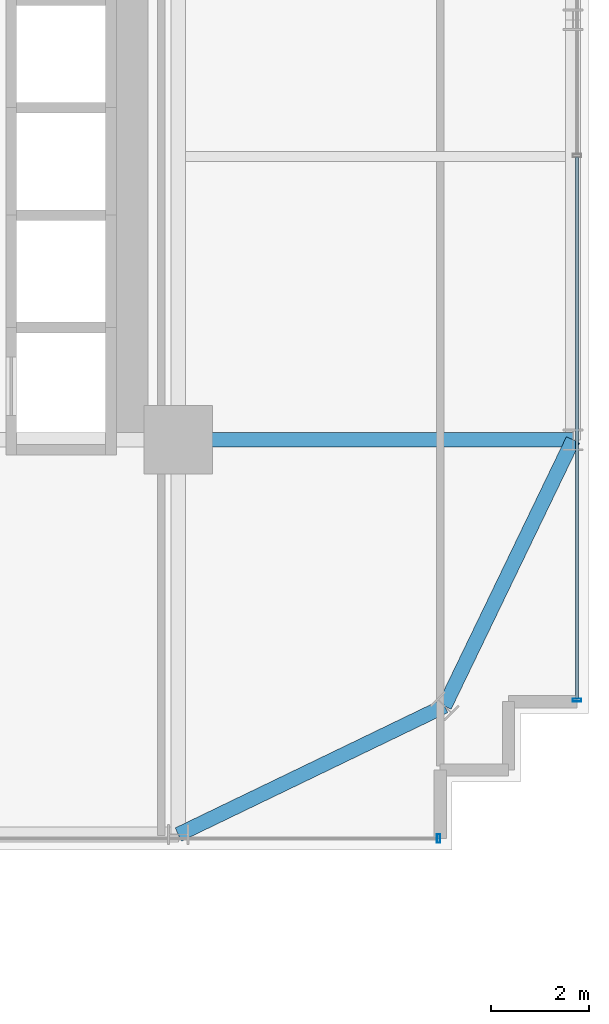
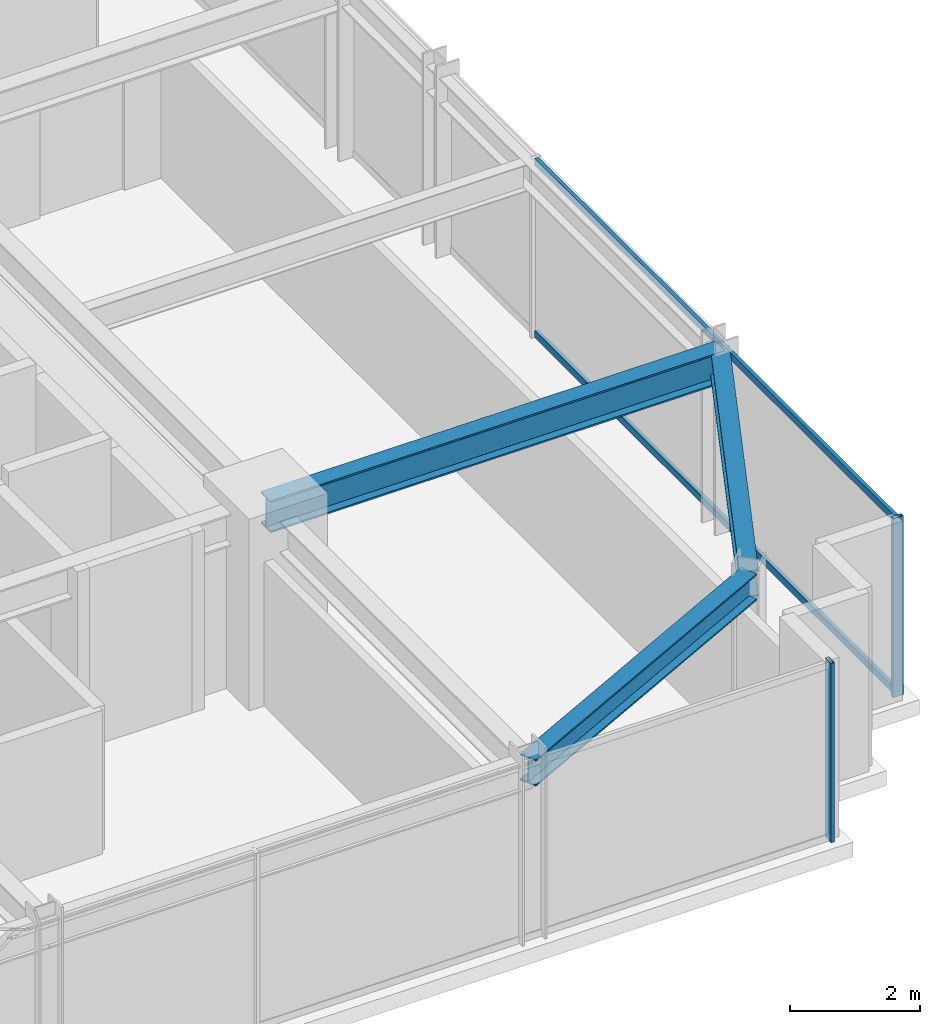
# One storey, part 14 of 37: 4 members, 3 beams, 2 elements without a shape of their own.
"""IFC4 building model written with IfcOpenShell, lengths in metres."""

from ifc_helpers import new_model, si_unit, direction, frame, origin, origin_2d, place, context, subcontext, project, spatial, hollow_rectangle, i_section, extrude, source, transform, mapped, material, material_profile, profile_set, type_object, element, aggregate, save


model = new_model("IFC4")

# Units and contexts
model_context = context("Model", 3, precision=1e-05, world=origin(), true_north=direction((0.0, 1.0)))
body_context = subcontext(model_context, "Body", "Model", "MODEL_VIEW")
ifc_project = project(units=[si_unit("LENGTHUNIT", "METRE"), si_unit("AREAUNIT", "SQUARE_METRE"), si_unit("VOLUMEUNIT", "CUBIC_METRE"), si_unit("PLANEANGLEUNIT", "RADIAN"), si_unit("MASSUNIT", "GRAM", prefix="KILO")], contexts=[model_context])

# Site, building, storey
site_placement = place(None, origin())
site = spatial("IfcSite", under=ifc_project, at=site_placement, CompositionType="ELEMENT")
building_placement = place(site_placement, origin())
building = spatial("IfcBuilding", under=site, at=building_placement, Name="Nahalor Promenade Grand Hotel", CompositionType="ELEMENT")
storey_placement = place(building_placement, frame((0.0, 0.0, 36.050048828125)))
storey = spatial("IfcBuildingStorey", under=building, at=storey_placement, Name="L07", CompositionType="ELEMENT", Elevation=36.050048828125)

# Beams
ifc_material_1 = material(Name="Steel S355JR", Category="steel")
ifc_material_profile_1 = material_profile(ifc_material_1, i_section(OverallWidth=0.3, OverallDepth=0.6, WebThickness=0.0155, FlangeThickness=0.03, at=origin_2d()), Name="HEB 600")
ifc_profile_set_1 = profile_set([ifc_material_profile_1], Name="Steel S355JR")
beam_type_1 = type_object("IfcBeamType", Name="Beam-Girder-HEB600", PredefinedType="BEAM", material=ifc_profile_set_1)
shared_shape_1 = source(origin(), body_context, "Body", "SweptSolid", [
    extrude(i_section(OverallWidth=0.3, OverallDepth=0.6, WebThickness=0.0155, FlangeThickness=0.03, at=origin_2d()), origin(), (0.0, 0.0, 1.0), 8.080078125),
])
beam_placement = place(storey_placement, frame((17.0, -17.0, 3.070068359375), z_axis=(1.0, 0.0, 0.0), x_axis=(0.0, 1.0, 0.0)))
element("IfcBeam", 1, at=beam_placement, inside=storey, type_object=beam_type_1, Name="BM-L07-GX-0-6", PredefinedType="BEAM", context=body_context, shape_type="MappedRepresentation", body=[
    mapped(shared_shape_1, transform((0.0, 0.0, 0.0), scale=1.0)),
])
ifc_material_profile_2 = material_profile(ifc_material_1, i_section(OverallWidth=0.3, OverallDepth=0.5, WebThickness=0.0145, FlangeThickness=0.028, at=origin_2d()), Name="HEB 500")
ifc_profile_set_2 = profile_set([ifc_material_profile_2], Name="Steel S355JR")
beam_type_2 = type_object("IfcBeamType", Name="Beam-Spandrel-HEB500", PredefinedType="SPANDREL", material=ifc_profile_set_2)
shared_shape_2 = source(origin(), body_context, "Body", "SweptSolid", [
    extrude(i_section(OverallWidth=0.3, OverallDepth=0.5, WebThickness=0.0145, FlangeThickness=0.028, at=origin_2d()), origin(), (0.0, 0.0, 1.0), 6.051513671875),
])
for number, where, z_axis, x_axis, name in (
    (2, (17.0, -25.080078125, 3.119873046875), (0.900608818852, 0.434630596492, 0.0), (-0.434630596492, 0.900608818852, 0.0), "BM-L07-SPC-SE-1"),
    (3, (22.449951171875, -22.449951171875, 3.119873046875), (0.434630596492, 0.900608818852, 0.0), (-0.900608818852, 0.434630596492, 0.0), "BM-L07-SPC-SE-2"),
):
    element("IfcBeam", number, at=place(storey_placement, frame(where, z_axis=z_axis, x_axis=x_axis)), inside=storey, type_object=beam_type_2, Name=name, PredefinedType="SPANDREL", context=body_context, shape_type="MappedRepresentation", body=[
        mapped(shared_shape_2, transform((0.0, 0.0, 0.0), scale=1.0)),
    ])

# Curtain wall, members
ifc_material_2 = material(Name="Anodised Bronze Aluminium EN AW-6063 T6", Category="aluminium")
curtain_wall_type = type_object("IfcCurtainWallType", Name="CW2 Typical Hotel Flush Bronze Unitised Curtain Wall", PredefinedType="USERDEFINED", material=ifc_material_2)
curtain_wall_1_placement = place(storey_placement, origin())
curtain_wall_1 = element("IfcCurtainWall", 4, at=curtain_wall_1_placement, inside=storey, type_object=curtain_wall_type, Name="L07 Curtain Wall CW-L07-E-1", ObjectType="UNITISED_CURTAIN_WALL", PredefinedType="USERDEFINED")
ifc_material_profile_3 = material_profile(ifc_material_2, hollow_rectangle(XDim=0.065, YDim=0.13, WallThickness=0.004, at=origin_2d()), Name="CWT 65x130x4")
ifc_profile_set_3 = profile_set([ifc_material_profile_3], Name="Anodised Bronze Aluminium EN AW-6063 T6")
member_type_1 = type_object("IfcMemberType", Name="CWT2 Typical Bronze Transom 65x130", PredefinedType="USERDEFINED", material=ifc_profile_set_3)
shared_shape_3 = source(origin(), body_context, "Body", "SweptSolid", [
    extrude(hollow_rectangle(XDim=0.065, YDim=0.13, WallThickness=0.004, at=origin_2d()), origin(), (0.0, 0.0, 1.0), 11.08251953125),
])
member_1_placement = place(storey_placement, frame((25.159912109375, -22.294921875, 0.06494140625), z_axis=(0.0, 1.0, 0.0), x_axis=(-1.0, 0.0, 0.0)))
member_1 = element("IfcMember", 5, at=member_1_placement, type_object=member_type_1, Name="CW-L07-E-1 Transom 0-0", ObjectType="TRANSOM", PredefinedType="USERDEFINED", context=body_context, shape_type="MappedRepresentation", body=[
    mapped(shared_shape_3, transform((0.0, 0.0, 0.0), scale=1.0)),
])
member_2_placement = place(storey_placement, frame((25.159912109375, -22.294921875, 3.304931640625), z_axis=(0.0, 1.0, 0.0), x_axis=(-1.0, 0.0, 0.0)))
member_2 = element("IfcMember", 6, at=member_2_placement, type_object=member_type_1, Name="CW-L07-E-1 Transom 0-1", ObjectType="TRANSOM", PredefinedType="USERDEFINED", context=body_context, shape_type="MappedRepresentation", body=[
    mapped(shared_shape_3, transform((0.0, 0.0, 0.0), scale=1.0)),
])

# Curtain wall, member
curtain_wall_2_placement = place(storey_placement, origin())
curtain_wall_2 = element("IfcCurtainWall", 7, at=curtain_wall_2_placement, inside=storey, type_object=curtain_wall_type, Name="L07 Curtain Wall CW-L07-S-3", ObjectType="UNITISED_CURTAIN_WALL", PredefinedType="USERDEFINED")
ifc_material_profile_4 = material_profile(ifc_material_2, hollow_rectangle(XDim=0.065, YDim=0.18, WallThickness=0.004, at=origin_2d()), Name="CWM 65x180x4")
ifc_profile_set_4 = profile_set([ifc_material_profile_4], Name="Anodised Bronze Aluminium EN AW-6063 T6")
member_type_2 = type_object("IfcMemberType", Name="CWM2 Typical Bronze Mullion 65x180", PredefinedType="MULLION", material=ifc_profile_set_4)
shared_shape_4 = source(origin(), body_context, "Body", "SweptSolid", [
    extrude(hollow_rectangle(XDim=0.065, YDim=0.18, WallThickness=0.004, at=origin_2d()), origin(), (0.0, 0.0, 1.0), 3.369873046875),
])
member_3_placement = place(storey_placement, frame((22.327392578125, -25.159912109375, 0.0), z_axis=(0.0, 0.0, 1.0), x_axis=(1.0, 0.0, 0.0)))
member_3 = element("IfcMember", 8, at=member_3_placement, type_object=member_type_2, Name="CW-L07-S-3 Mullion 3", PredefinedType="MULLION", context=body_context, shape_type="MappedRepresentation", body=[
    mapped(shared_shape_4, transform((0.0, 0.0, 0.0), scale=1.0)),
])
aggregate(curtain_wall_2, [member_3])

# Member
member_4_placement = place(storey_placement, frame((25.159912109375, -22.327392578125, 0.0), z_axis=(0.0, 0.0, 1.0), x_axis=(0.0, 1.0, 0.0)))
member_4 = element("IfcMember", 9, at=member_4_placement, type_object=member_type_2, Name="CW-L07-E-1 Mullion 0", PredefinedType="MULLION", context=body_context, shape_type="MappedRepresentation", body=[
    mapped(shared_shape_4, transform((0.0, 0.0, 0.0), scale=1.0)),
])

aggregate(curtain_wall_1, [member_4, member_1, member_2])

save(model, "model.ifc")
